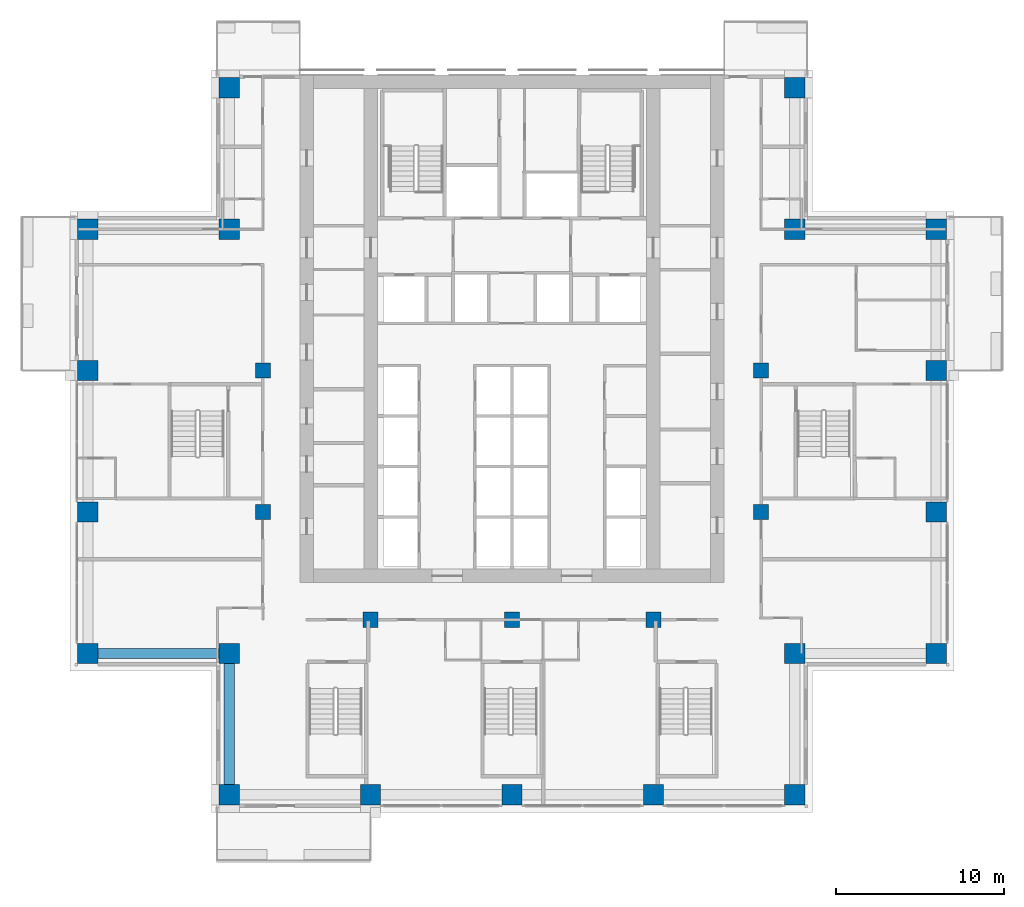
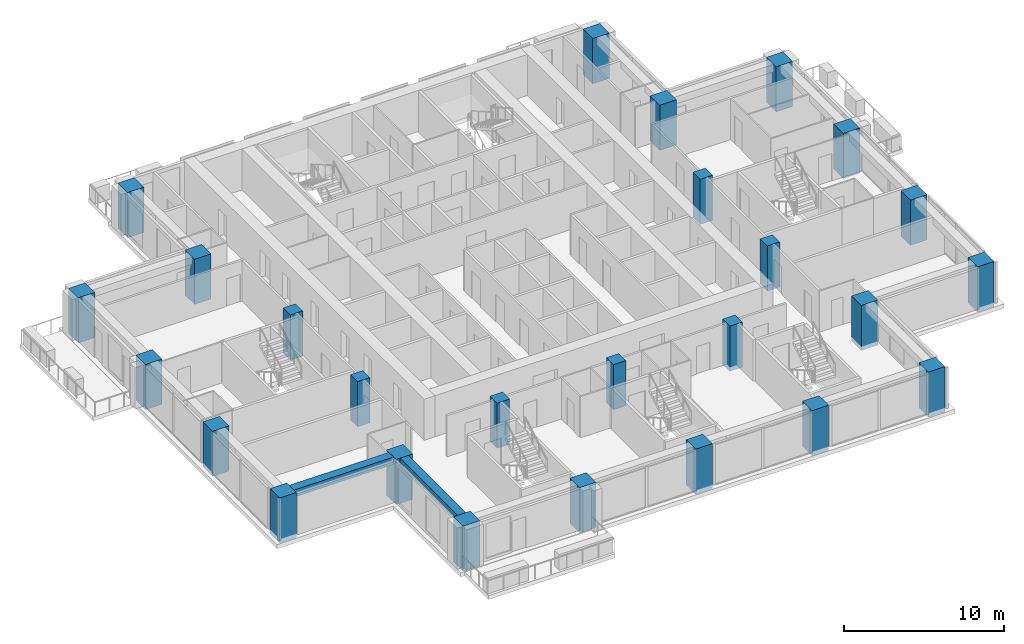
# One storey, part 1 of 17: 26 columns, 2 beams.
"""IFC4 building model written with IfcOpenShell, lengths in metres."""

from ifc_helpers import new_model, si_unit, direction, frame, origin, origin_2d, place, context, subcontext, project, spatial, rectangle, extrude, material, material_profile, profile_set, type_object, element, save


model = new_model("IFC4")

# Units and contexts
model_context = context("Model", 3, precision=1e-05, world=origin(), true_north=direction((0.0, 1.0)))
body_context = subcontext(model_context, "Body", "Model", "MODEL_VIEW")
ifc_project = project(units=[si_unit("LENGTHUNIT", "METRE"), si_unit("AREAUNIT", "SQUARE_METRE"), si_unit("VOLUMEUNIT", "CUBIC_METRE"), si_unit("PLANEANGLEUNIT", "RADIAN"), si_unit("MASSUNIT", "GRAM", prefix="KILO")], contexts=[model_context])

# Site, building, storey
site_placement = place(None, origin())
site = spatial("IfcSite", under=ifc_project, at=site_placement, CompositionType="ELEMENT")
building_placement = place(site_placement, origin())
building = spatial("IfcBuilding", under=site, at=building_placement, Name="Vermilion Ogive Tower", CompositionType="ELEMENT")
storey_placement = place(building_placement, frame((0.0, 0.0, 83.85009765625)))
storey = spatial("IfcBuildingStorey", under=building, at=storey_placement, Name="L20", CompositionType="ELEMENT", Elevation=83.85009765625)

# Columns
ifc_material_1 = material(Name="Concrete B80", Category="concrete")
ifc_material_profile_1 = material_profile(ifc_material_1, rectangle(XDim=1.199951171875, YDim=1.199951171875, at=origin_2d()), Name="1200 x 1200")
ifc_profile_set_1 = profile_set([ifc_material_profile_1], Name="Concrete B80")
column_type_1 = type_object("IfcColumnType", Name="Perimeter column 1200 x 1200 B80", PredefinedType="COLUMN", material=ifc_profile_set_1)
for number, where, z_axis, x_axis, name in (
    (1, (-16.800048828125, -21.0, -0.320068359375), (0.0, 0.0, 1.0), (1.0, 0.0, 0.0), "COL-L20-P-0168-210"),
    (2, (-8.39990234375, -21.0, -0.320068359375), (0.0, 0.0, 1.0), (1.0, 0.0, 0.0), "COL-L20-P-0084-210"),
    (3, (0.0, -21.0, -0.320068359375), (0.0, 0.0, 1.0), (1.0, 0.0, 0.0), "COL-L20-P+0000-210"),
    (4, (8.39990234375, -21.0, -0.320068359375), (0.0, 0.0, 1.0), (1.0, 0.0, 0.0), "COL-L20-P+0084-210"),
    (5, (16.800048828125, -21.0, -0.320068359375), (0.0, 0.0, 1.0), (1.0, 0.0, 0.0), "COL-L20-P+0168-210"),
    (6, (-25.199951171875, -12.60009765625, -0.320068359375), (0.0, 0.0, 1.0), (1.0, 0.0, 0.0), "COL-L20-P-0252-126"),
    (7, (-16.800048828125, -12.60009765625, -0.320068359375), (0.0, 0.0, 1.0), (1.0, 0.0, 0.0), "COL-L20-P-0168-126"),
    (8, (16.800048828125, -12.60009765625, -0.320068359375), (0.0, 0.0, 1.0), (1.0, 0.0, 0.0), "COL-L20-P+0168-126"),
    (9, (25.199951171875, -12.60009765625, -0.320068359375), (0.0, 0.0, 1.0), (1.0, 0.0, 0.0), "COL-L20-P+0252-126"),
    (10, (-25.199951171875, -4.199951171875, -0.320068359375), (0.0, 0.0, 1.0), (1.0, 0.0, 0.0), "COL-L20-P-0252-042"),
    (11, (25.199951171875, -4.199951171875, -0.320068359375), (0.0, 0.0, 1.0), (1.0, 0.0, 0.0), "COL-L20-P+0252-042"),
    (12, (-25.199951171875, 4.199951171875, -0.320068359375), (0.0, 0.0, 1.0), (1.0, 0.0, 0.0), "COL-L20-P-0252+042"),
    (13, (25.199951171875, 4.199951171875, -0.320068359375), (0.0, 0.0, 1.0), (1.0, 0.0, 0.0), "COL-L20-P+0252+042"),
    (14, (-25.199951171875, 12.60009765625, -0.320068359375), (0.0, 0.0, 1.0), (1.0, 0.0, 0.0), "COL-L20-P-0252+126"),
    (15, (-16.800048828125, 12.60009765625, -0.320068359375), (0.0, 0.0, 1.0), (1.0, 0.0, 0.0), "COL-L20-P-0168+126"),
    (16, (16.800048828125, 12.60009765625, -0.320068359375), (0.0, 0.0, 1.0), (1.0, 0.0, 0.0), "COL-L20-P+0168+126"),
    (17, (25.199951171875, 12.60009765625, -0.320068359375), (0.0, 0.0, 1.0), (1.0, 0.0, 0.0), "COL-L20-P+0252+126"),
    (18, (-16.800048828125, 21.0, -0.320068359375), (0.0, 0.0, 1.0), (1.0, 0.0, 0.0), "COL-L20-P-0168+210"),
    (19, (16.800048828125, 21.0, -0.320068359375), (0.0, 0.0, 1.0), (1.0, 0.0, 0.0), "COL-L20-P+0168+210"),
):
    element("IfcColumn", number, at=place(storey_placement, frame(where, z_axis=z_axis, x_axis=x_axis)), inside=storey, type_object=column_type_1, Name=name, PredefinedType="COLUMN", context=body_context, shape_type="SweptSolid", body=[
        extrude(rectangle(XDim=1.199951171875, YDim=1.199951171875, at=origin_2d()), origin(), (0.0, 0.0, 1.0), 3.449951171875),
    ])
ifc_material_2 = material(Name="Concrete B80", Category="concrete")
ifc_material_profile_2 = material_profile(ifc_material_2, rectangle(XDim=0.89990234375, YDim=0.89990234375, at=origin_2d()), Name="900 x 900")
ifc_profile_set_2 = profile_set([ifc_material_profile_2], Name="Concrete B80")
column_type_2 = type_object("IfcColumnType", Name="Ring column 900 x 900 B80", PredefinedType="COLUMN", material=ifc_profile_set_2)
for number, where, z_axis, x_axis, name in (
    (20, (-8.39990234375, -10.60009765625, -0.320068359375), (0.0, 0.0, 1.0), (1.0, 0.0, 0.0), "COL-L20-R-0084-106"),
    (21, (0.0, -10.60009765625, -0.320068359375), (0.0, 0.0, 1.0), (1.0, 0.0, 0.0), "COL-L20-R+0000-106"),
    (22, (8.39990234375, -10.60009765625, -0.320068359375), (0.0, 0.0, 1.0), (1.0, 0.0, 0.0), "COL-L20-R+0084-106"),
    (23, (-14.800048828125, -4.199951171875, -0.320068359375), (0.0, 0.0, 1.0), (1.0, 0.0, 0.0), "COL-L20-R-0148-042"),
    (24, (14.800048828125, -4.199951171875, -0.320068359375), (0.0, 0.0, 1.0), (1.0, 0.0, 0.0), "COL-L20-R+0148-042"),
    (25, (-14.800048828125, 4.199951171875, -0.320068359375), (0.0, 0.0, 1.0), (1.0, 0.0, 0.0), "COL-L20-R-0148+042"),
    (26, (14.800048828125, 4.199951171875, -0.320068359375), (0.0, 0.0, 1.0), (1.0, 0.0, 0.0), "COL-L20-R+0148+042"),
):
    element("IfcColumn", number, at=place(storey_placement, frame(where, z_axis=z_axis, x_axis=x_axis)), inside=storey, type_object=column_type_2, Name=name, PredefinedType="COLUMN", context=body_context, shape_type="SweptSolid", body=[
        extrude(rectangle(XDim=0.89990234375, YDim=0.89990234375, at=origin_2d()), origin(), (0.0, 0.0, 1.0), 3.449951171875),
    ])

# Beams
ifc_material_3 = material(Name="Concrete B45", Category="concrete")
ifc_material_profile_3 = material_profile(ifc_material_3, rectangle(XDim=0.60009765625, YDim=0.550048828125, at=origin_2d()), Name="600 x 550")
ifc_profile_set_3 = profile_set([ifc_material_profile_3], Name="Concrete B45")
beam_type = type_object("IfcBeamType", Name="Edge beam 600 x 550 B45", PredefinedType="BEAM", material=ifc_profile_set_3)
beam_1_placement = place(storey_placement, frame((-24.60009765625, -12.60009765625, 2.85498046875), z_axis=(1.0, 0.0, 0.0), x_axis=(0.0, 1.0, 0.0)))
element("IfcBeam", 27, at=beam_1_placement, inside=storey, type_object=beam_type, Name="L20-EB-17", PredefinedType="BEAM", context=body_context, shape_type="SweptSolid", body=[
    extrude(rectangle(XDim=0.60009765625, YDim=0.550048828125, at=origin_2d()), origin(), (0.0, 0.0, 1.0), 7.2001953125),
])
beam_2_placement = place(storey_placement, frame((-16.800048828125, -13.199951171875, 2.85498046875), z_axis=(0.0, -1.0, 0.0), x_axis=(1.0, 0.0, 0.0)))
element("IfcBeam", 28, at=beam_2_placement, inside=storey, type_object=beam_type, Name="L20-EB-18", PredefinedType="BEAM", context=body_context, shape_type="SweptSolid", body=[
    extrude(rectangle(XDim=0.60009765625, YDim=0.550048828125, at=origin_2d()), origin(), (0.0, 0.0, 1.0), 7.199951171875),
])

save(model, "model.ifc")
